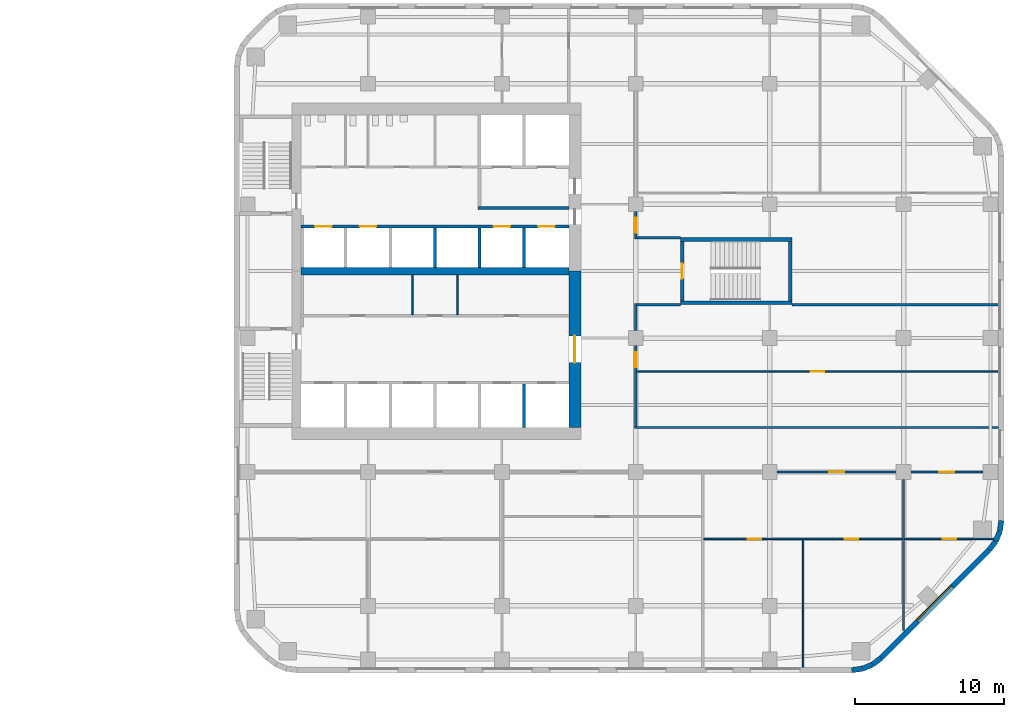
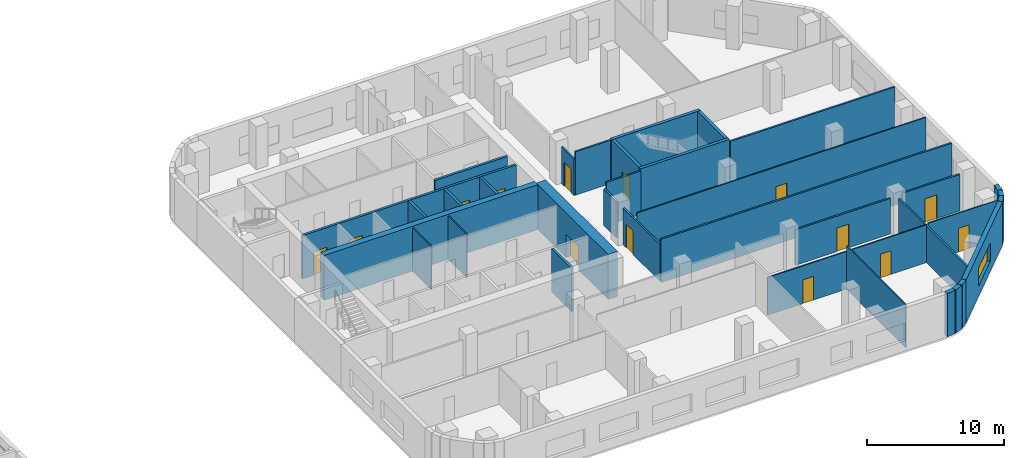
# One storey, part 9 of 14: 35 walls, 14 doors, 1 window, 15 openings.
"""IFC4 building model written with IfcOpenShell, lengths in metres."""

from ifc_helpers import new_model, si_unit, direction, frame, frame_2d, origin, place, context, subcontext, project, spatial, rectangle, extrude, material, layer, layer_set, type_object, element, fill, save


model = new_model("IFC4")

# Units and contexts
model_context = context("Model", 3, precision=1e-05, world=origin(), true_north=direction((0.0, 1.0)))
body_context = subcontext(model_context, "Body", "Model", "MODEL_VIEW")
ifc_project = project(units=[si_unit("LENGTHUNIT", "METRE"), si_unit("AREAUNIT", "SQUARE_METRE"), si_unit("VOLUMEUNIT", "CUBIC_METRE"), si_unit("PLANEANGLEUNIT", "RADIAN"), si_unit("MASSUNIT", "GRAM", prefix="KILO")], contexts=[model_context])

# Site, building, storey
site_placement = place(None, origin())
site = spatial("IfcSite", under=ifc_project, at=site_placement, CompositionType="ELEMENT")
building_placement = place(site_placement, origin())
building = spatial("IfcBuilding", under=site, at=building_placement, Name="Cinnabar Reach Civic Tower", CompositionType="ELEMENT")
storey_placement = place(building_placement, frame((0.0, 0.0, 104.0)))
storey = spatial("IfcBuildingStorey", under=building, at=storey_placement, Name="L24", CompositionType="ELEMENT", Elevation=104.0)

# Walls
ifc_material_1 = material(Name="Facing brick with insulated backing", Category="masonry")
ifc_layer_1 = layer(ifc_material_1, 0.36)
ifc_layer_set_1 = layer_set([ifc_layer_1], Name="Brick corner wall")
wall_type_1 = type_object("IfcWallType", Name="Brick corner wall", PredefinedType="STANDARD", material=ifc_layer_set_1)
for number, where, z_axis, x_axis, name in (
    (1, (41.5186, 4.683, 0.0), (0.0, 0.0, 1.0), (0.99144092581, 0.13055608231, 0.0), "Brick corner wall"),
    (2, (42.2473, 4.7819, 0.0), (0.0, 0.0, 1.0), (0.923871547278, 0.382702709855, 0.0), "Brick corner wall"),
):
    element("IfcWall", number, at=place(storey_placement, frame(where, z_axis=z_axis, x_axis=x_axis)), inside=storey, type_object=wall_type_1, Name=name, PredefinedType="STANDARD", context=body_context, shape_type="SweptSolid", body=[
        extrude(rectangle(XDim=0.7131, YDim=0.36, at=frame_2d((0.3565, 0.0))), origin(), (0.0, 0.0, 1.0), 3.85),
    ])
for number, where, z_axis, x_axis, name in (
    (3, (42.9255, 5.066, 0.0), (0.0, 0.0, 1.0), (0.793321924995, 0.608802368033, 0.0), "Brick corner wall"),
    (4, (50.7498, 12.7587, 0.0), (0.0, 0.0, 1.0), (0.608802368033, 0.793321924995, 0.0), "Brick corner wall"),
):
    element("IfcWall", number, at=place(storey_placement, frame(where, z_axis=z_axis, x_axis=x_axis)), inside=storey, type_object=wall_type_1, Name=name, PredefinedType="STANDARD", context=body_context, shape_type="SweptSolid", body=[
        extrude(rectangle(XDim=0.7132, YDim=0.36, at=frame_2d((0.3566, 0.0))), origin(), (0.0, 0.0, 1.0), 3.85),
    ])
for number, where, z_axis, x_axis, name in (
    (5, (51.1952, 13.3439, 0.0), (0.0, 0.0, 1.0), (0.382702709855, 0.923871547278, 0.0), "Brick corner wall"),
    (6, (51.4739, 14.0244, 0.0), (0.0, 0.0, 1.0), (0.13055608231, 0.99144092581, 0.0), "Brick corner wall"),
):
    element("IfcWall", number, at=place(storey_placement, frame(where, z_axis=z_axis, x_axis=x_axis)), inside=storey, type_object=wall_type_1, Name=name, PredefinedType="STANDARD", context=body_context, shape_type="SweptSolid", body=[
        extrude(rectangle(XDim=0.7131, YDim=0.36, at=frame_2d((0.3565, 0.0))), origin(), (0.0, 0.0, 1.0), 3.85),
    ])

# Wall, opening, window
ifc_layer_2 = layer(ifc_material_1, 0.36)
ifc_layer_set_2 = layer_set([ifc_layer_2], Name="Brick pier and spandrel wall")
wall_type_2 = type_object("IfcWallType", Name="Brick pier and spandrel wall", PredefinedType="STANDARD", material=ifc_layer_set_2)
wall_1_placement = place(storey_placement, frame((43.5014, 5.506, 0.0), z_axis=(0.0, 0.0, 1.0), x_axis=(0.707106781187, 0.707106781187, 0.0)))
wall_1 = element("IfcWall", 7, at=wall_1_placement, inside=storey, type_object=wall_type_2, Name="Brick facade wall", PredefinedType="STANDARD", context=body_context, shape_type="SweptSolid", body=[
    extrude(rectangle(XDim=10.2426, YDim=0.36, at=frame_2d((5.1213, 0.0))), origin(), (0.0, 0.0, 1.0), 3.85),
])
opening_1_placement = place(wall_1_placement, frame((3.4713, 0.0, 0.9)))
opening_1 = element("IfcOpeningElement", 8, at=opening_1_placement, cuts=wall_1, Name="Opening W1508", PredefinedType="OPENING", context=body_context, shape_type="SweptSolid", body=[
    extrude(rectangle(XDim=3.3, YDim=1.6, at=frame_2d((1.65, 0.8))), frame((0.0, 0.19, 0.0), z_axis=(0.0, -1.0, 0.0), x_axis=(1.0, 0.0, 0.0)), (0.0, 0.0, 1.0), 0.38),
])
ifc_material_2 = material(Name="Clear double glazing in aluminium frame", Category="aluminium")
window_type = type_object("IfcWindowType", Name="Deep-set window A", PartitioningType="SINGLE_PANEL", PredefinedType="WINDOW", material=ifc_material_2)
window_placement = place(opening_1_placement, origin())
window = element("IfcWindow", 9, at=window_placement, inside=storey, type_object=window_type, Name="Window southeast face", OverallHeight=1.6, OverallWidth=3.3, PartitioningType="SINGLE_PANEL", PredefinedType="WINDOW", context=body_context, shape_type="SweptSolid", body=[
    extrude(rectangle(XDim=3.3, YDim=1.6, at=frame_2d((1.65, 0.8))), frame((0.0, 0.13, 0.0), z_axis=(0.0, -1.0, 0.0), x_axis=(1.0, 0.0, 0.0)), (0.0, 0.0, 1.0), 0.06),
])
fill(opening_1, window)

# Wall
ifc_material_3 = material(Name="Concrete C60", Category="concrete")
ifc_layer_3 = layer(ifc_material_3, 0.5)
ifc_layer_set_3 = layer_set([ifc_layer_3], Name="Core wall 500 EI 180")
wall_type_3 = type_object("IfcWallType", Name="Core wall 500 EI 180", PredefinedType="SOLIDWALL", material=ifc_layer_set_3)
wall_2_placement = place(storey_placement, frame((4.5, 31.5, 0.0), z_axis=(0.0, 0.0, 1.0), x_axis=(1.0, 0.0, 0.0)))
element("IfcWall", 10, at=wall_2_placement, inside=storey, type_object=wall_type_3, Name="Core spine wall T1 L24", PredefinedType="SOLIDWALL", context=body_context, shape_type="SweptSolid", body=[
    extrude(rectangle(XDim=18.0, YDim=0.5, at=frame_2d((9.0, 0.0))), origin(), (0.0, 0.0, 1.0), 4.0),
])

# Wall, opening, door
ifc_material_4 = material(Name="Concrete C70", Category="concrete")
ifc_layer_4 = layer(ifc_material_4, 0.8)
ifc_layer_set_4 = layer_set([ifc_layer_4], Name="Core wall 800 EI 180")
wall_type_4 = type_object("IfcWallType", Name="Core wall 800 EI 180", PredefinedType="SOLIDWALL", material=ifc_layer_set_4)
wall_3_placement = place(storey_placement, frame((22.9, 21.0, 0.0), z_axis=(0.0, 0.0, 1.0), x_axis=(0.0, 1.0, 0.0)))
wall_3 = element("IfcWall", 11, at=wall_3_placement, inside=storey, type_object=wall_type_4, Name="Core wall T1 L24 E", PredefinedType="SOLIDWALL", context=body_context, shape_type="SweptSolid", body=[
    extrude(rectangle(XDim=10.5, YDim=0.8, at=frame_2d((5.25, 0.0))), origin(), (0.0, 0.0, 1.0), 4.0),
])
opening_2_placement = place(wall_3_placement, frame((4.35, 0.0, 0.0)))
opening_2 = element("IfcOpeningElement", 12, at=opening_2_placement, cuts=wall_3, Name="Opening D3977", PredefinedType="OPENING", context=body_context, shape_type="SweptSolid", body=[
    extrude(rectangle(XDim=1.8, YDim=2.1, at=frame_2d((0.9, 1.05))), frame((0.0, 0.41, 0.0), z_axis=(0.0, -1.0, 0.0), x_axis=(1.0, 0.0, 0.0)), (0.0, 0.0, 1.0), 0.82),
])
ifc_material_5 = material(Name="Timber door leaf in steel frame", Category="steel")
door_type_1 = type_object("IfcDoorType", Name="Double swing door 1800 x 2100 T1", OperationType="DOUBLE_DOOR_DOUBLE_SWING", PredefinedType="DOOR", material=ifc_material_5)
door_1_placement = place(opening_2_placement, origin())
door_1 = element("IfcDoor", 13, at=door_1_placement, inside=storey, type_object=door_type_1, Name="Door D3977", OperationType="DOUBLE_DOOR_DOUBLE_SWING", OverallHeight=2.1, OverallWidth=1.8, PredefinedType="DOOR", context=body_context, shape_type="SweptSolid", body=[
    extrude(rectangle(XDim=1.8, YDim=2.1, at=frame_2d((0.9, 1.05))), frame((0.0, 0.025, 0.0), z_axis=(0.0, -1.0, 0.0), x_axis=(1.0, 0.0, 0.0)), (0.0, 0.0, 1.0), 0.05),
])
fill(opening_2, door_1)

ifc_material_6 = material(Name="Gypsum board on steel studs, double layer", Category="steel")
ifc_layer_5 = layer(ifc_material_6, 0.15)
ifc_layer_set_5 = layer_set([ifc_layer_5], Name="Corridor wall 150 T1")
wall_type_5 = type_object("IfcWallType", Name="Corridor wall 150 T1", PredefinedType="PARTITIONING", material=ifc_layer_set_5)
wall_4_placement = place(storey_placement, frame((45.5, 18.0, 0.0), z_axis=(0.0, 0.0, 1.0), x_axis=(1.0, 0.0, 0.0)))
wall_4 = element("IfcWall", 14, at=wall_4_placement, inside=storey, type_object=wall_type_5, Name="Corridor wall 19", PredefinedType="PARTITIONING", context=body_context, shape_type="SweptSolid", body=[
    extrude(rectangle(XDim=4.85, YDim=0.15, at=frame_2d((2.425, 0.0))), origin(), (0.0, 0.0, 1.0), 3.254),
])
opening_3_placement = place(wall_4_placement, frame((1.9, 0.0, 0.0)))
opening_3 = element("IfcOpeningElement", 15, at=opening_3_placement, cuts=wall_4, Name="Opening D4001", PredefinedType="OPENING", context=body_context, shape_type="SweptSolid", body=[
    extrude(rectangle(XDim=1.0, YDim=2.1, at=frame_2d((0.5, 1.05))), frame((0.0, 0.085, 0.0), z_axis=(0.0, -1.0, 0.0), x_axis=(1.0, 0.0, 0.0)), (0.0, 0.0, 1.0), 0.17),
])
door_type_2 = type_object("IfcDoorType", Name="Tenancy entrance door 1000 x 2100 T1", OperationType="SINGLE_SWING_LEFT", PredefinedType="DOOR", material=ifc_material_5)
door_2_placement = place(opening_3_placement, frame((1.0, 0.0, 0.0), z_axis=(0.0, 0.0, 1.0), x_axis=(-1.0, 0.0, 0.0)))
door_2 = element("IfcDoor", 16, at=door_2_placement, inside=storey, type_object=door_type_2, Name="Door D4001", OperationType="SINGLE_SWING_LEFT", OverallHeight=2.1, OverallWidth=1.0, PredefinedType="DOOR", context=body_context, shape_type="SweptSolid", body=[
    extrude(rectangle(XDim=1.0, YDim=2.1, at=frame_2d((0.5, 1.05))), frame((0.0, 0.025, 0.0), z_axis=(0.0, -1.0, 0.0), x_axis=(1.0, 0.0, 0.0)), (0.0, 0.0, 1.0), 0.05),
])
fill(opening_3, door_2)

wall_5_placement = place(storey_placement, frame((36.5, 18.0, 0.0), z_axis=(0.0, 0.0, 1.0), x_axis=(1.0, 0.0, 0.0)))
wall_5 = element("IfcWall", 17, at=wall_5_placement, inside=storey, type_object=wall_type_5, Name="Corridor wall 20", PredefinedType="PARTITIONING", context=body_context, shape_type="SweptSolid", body=[
    extrude(rectangle(XDim=8.0, YDim=0.15, at=frame_2d((4.0, 0.0))), origin(), (0.0, 0.0, 1.0), 3.158),
])
opening_4_placement = place(wall_5_placement, frame((3.5, 0.0, 0.0)))
opening_4 = element("IfcOpeningElement", 18, at=opening_4_placement, cuts=wall_5, Name="Opening D3998", PredefinedType="OPENING", context=body_context, shape_type="SweptSolid", body=[
    extrude(rectangle(XDim=1.0, YDim=2.1, at=frame_2d((0.5, 1.05))), frame((0.0, 0.085, 0.0), z_axis=(0.0, -1.0, 0.0), x_axis=(1.0, 0.0, 0.0)), (0.0, 0.0, 1.0), 0.17),
])
door_3_placement = place(opening_4_placement, frame((1.0, 0.0, 0.0), z_axis=(0.0, 0.0, 1.0), x_axis=(-1.0, 0.0, 0.0)))
door_3 = element("IfcDoor", 19, at=door_3_placement, inside=storey, type_object=door_type_2, Name="Door D3998", OperationType="SINGLE_SWING_RIGHT", OverallHeight=2.1, OverallWidth=1.0, PredefinedType="DOOR", context=body_context, shape_type="SweptSolid", body=[
    extrude(rectangle(XDim=1.0, YDim=2.1, at=frame_2d((0.5, 1.05))), frame((0.0, 0.025, 0.0), z_axis=(0.0, -1.0, 0.0), x_axis=(1.0, 0.0, 0.0)), (0.0, 0.0, 1.0), 0.05),
])
fill(opening_4, door_3)

# Wall
wall_6_placement = place(storey_placement, frame((26.925, 21.0, 0.0), z_axis=(0.0, 0.0, 1.0), x_axis=(1.0, 0.0, 0.0)))
element("IfcWall", 20, at=wall_6_placement, inside=storey, type_object=wall_type_5, Name="Corridor wall 25", PredefinedType="PARTITIONING", context=body_context, shape_type="SweptSolid", body=[
    extrude(rectangle(XDim=24.465, YDim=0.15, at=frame_2d((12.2325, 0.0))), origin(), (0.0, 0.0, 1.0), 3.85),
])

# Wall, opening, door
wall_7_placement = place(storey_placement, frame((27.0, 33.675, 0.0), z_axis=(0.0, 0.0, 1.0), x_axis=(0.0, 1.0, 0.0)))
wall_7 = element("IfcWall", 21, at=wall_7_placement, inside=storey, type_object=wall_type_5, Name="Corridor wall 27", PredefinedType="PARTITIONING", context=body_context, shape_type="SweptSolid", body=[
    extrude(rectangle(XDim=1.825, YDim=0.15, at=frame_2d((0.9125, 0.0))), origin(), (0.0, 0.0, 1.0), 3.256),
])
opening_5_placement = place(wall_7_placement, frame((0.4, 0.0, 0.0)))
opening_5 = element("IfcOpeningElement", 22, at=opening_5_placement, cuts=wall_7, Name="Opening D3988", PredefinedType="OPENING", context=body_context, shape_type="SweptSolid", body=[
    extrude(rectangle(XDim=1.0, YDim=2.1, at=frame_2d((0.5, 1.05))), frame((0.0, 0.085, 0.0), z_axis=(0.0, -1.0, 0.0), x_axis=(1.0, 0.0, 0.0)), (0.0, 0.0, 1.0), 0.17),
])
door_4_placement = place(opening_5_placement, frame((1.0, 0.0, 0.0), z_axis=(0.0, 0.0, 1.0), x_axis=(-1.0, 0.0, 0.0)))
door_4 = element("IfcDoor", 23, at=door_4_placement, inside=storey, type_object=door_type_2, Name="Door D3988", OperationType="SINGLE_SWING_RIGHT", OverallHeight=2.1, OverallWidth=1.0, PredefinedType="DOOR", context=body_context, shape_type="SweptSolid", body=[
    extrude(rectangle(XDim=1.0, YDim=2.1, at=frame_2d((0.5, 1.05))), frame((0.0, 0.025, 0.0), z_axis=(0.0, -1.0, 0.0), x_axis=(1.0, 0.0, 0.0)), (0.0, 0.0, 1.0), 0.05),
])
fill(opening_5, door_4)

wall_8_placement = place(storey_placement, frame((27.0, 21.075, 0.0), z_axis=(0.0, 0.0, 1.0), x_axis=(0.0, 1.0, 0.0)))
wall_8 = element("IfcWall", 24, at=wall_8_placement, inside=storey, type_object=wall_type_5, Name="Corridor wall 31", PredefinedType="PARTITIONING", context=body_context, shape_type="SweptSolid", body=[
    extrude(rectangle(XDim=5.425, YDim=0.15, at=frame_2d((2.7125, 0.0))), origin(), (0.0, 0.0, 1.0), 3.256),
])
opening_6_placement = place(wall_8_placement, frame((3.975, 0.0, 0.0)))
opening_6 = element("IfcOpeningElement", 25, at=opening_6_placement, cuts=wall_8, Name="Opening D3991", PredefinedType="OPENING", context=body_context, shape_type="SweptSolid", body=[
    extrude(rectangle(XDim=1.0, YDim=2.1, at=frame_2d((0.5, 1.05))), frame((0.0, 0.085, 0.0), z_axis=(0.0, -1.0, 0.0), x_axis=(1.0, 0.0, 0.0)), (0.0, 0.0, 1.0), 0.17),
])
door_5_placement = place(opening_6_placement, frame((1.0, 0.0, 0.0), z_axis=(0.0, 0.0, 1.0), x_axis=(-1.0, 0.0, 0.0)))
door_5 = element("IfcDoor", 26, at=door_5_placement, inside=storey, type_object=door_type_2, Name="Door D3991", OperationType="SINGLE_SWING_RIGHT", OverallHeight=2.1, OverallWidth=1.0, PredefinedType="DOOR", context=body_context, shape_type="SweptSolid", body=[
    extrude(rectangle(XDim=1.0, YDim=2.1, at=frame_2d((0.5, 1.05))), frame((0.0, 0.025, 0.0), z_axis=(0.0, -1.0, 0.0), x_axis=(1.0, 0.0, 0.0)), (0.0, 0.0, 1.0), 0.05),
])
fill(opening_6, door_5)

# Walls
wall_9_placement = place(storey_placement, frame((27.0, 27.5, 0.0), z_axis=(0.0, 0.0, 1.0), x_axis=(0.0, 1.0, 0.0)))
element("IfcWall", 27, at=wall_9_placement, inside=storey, type_object=wall_type_5, Name="Corridor wall 32", PredefinedType="PARTITIONING", context=body_context, shape_type="SweptSolid", body=[
    extrude(rectangle(XDim=1.825, YDim=0.15, at=frame_2d((0.9125, 0.0))), origin(), (0.0, 0.0, 1.0), 3.256),
])
for number, where, z_axis, x_axis, name in (
    (28, (27.075, 29.25, 0.0), (0.0, 0.0, 1.0), (1.0, 0.0, 0.0), "Corridor wall 36"),
    (29, (27.075, 33.75, 0.0), (0.0, 0.0, 1.0), (1.0, 0.0, 0.0), "Corridor wall 37"),
):
    element("IfcWall", number, at=place(storey_placement, frame(where, z_axis=z_axis, x_axis=x_axis)), inside=storey, type_object=wall_type_5, Name=name, PredefinedType="PARTITIONING", context=body_context, shape_type="SweptSolid", body=[
        extrude(rectangle(XDim=2.925, YDim=0.15, at=frame_2d((1.4625, 0.0))), origin(), (0.0, 0.0, 1.0), 3.85),
    ])

# Wall, openings, doors
ifc_material_7 = material(Name="Blockwork", Category="masonry")
ifc_layer_6 = layer(ifc_material_7, 0.2)
ifc_layer_set_6 = layer_set([ifc_layer_6], Name="Lift shaft wall 200 T1")
wall_type_6 = type_object("IfcWallType", Name="Lift shaft wall 200 T1", PredefinedType="PARTITIONING", material=ifc_layer_set_6)
wall_10_placement = place(storey_placement, frame((4.5, 34.5, 0.0), z_axis=(0.0, 0.0, 1.0), x_axis=(1.0, 0.0, 0.0)))
wall_10 = element("IfcWall", 30, at=wall_10_placement, inside=storey, type_object=wall_type_6, Name="Lift shaft wall 5", PredefinedType="PARTITIONING", context=body_context, shape_type="SweptSolid", body=[
    extrude(rectangle(XDim=18.0, YDim=0.2, at=frame_2d((9.0, 0.0))), origin(), (0.0, 0.0, 1.0), 3.85),
])
opening_7_placement = place(wall_10_placement, frame((0.95, 0.0, 0.0)))
opening_7 = element("IfcOpeningElement", 31, at=opening_7_placement, cuts=wall_10, Name="Opening D3971", PredefinedType="OPENING", context=body_context, shape_type="SweptSolid", body=[
    extrude(rectangle(XDim=1.1, YDim=2.1, at=frame_2d((0.55, 1.05))), frame((0.0, 0.11, 0.0), z_axis=(0.0, -1.0, 0.0), x_axis=(1.0, 0.0, 0.0)), (0.0, 0.0, 1.0), 0.22),
])
opening_8_placement = place(wall_10_placement, frame((3.95, 0.0, 0.0)))
opening_8 = element("IfcOpeningElement", 32, at=opening_8_placement, cuts=wall_10, Name="Opening D3972", PredefinedType="OPENING", context=body_context, shape_type="SweptSolid", body=[
    extrude(rectangle(XDim=1.1, YDim=2.1, at=frame_2d((0.55, 1.05))), frame((0.0, 0.11, 0.0), z_axis=(0.0, -1.0, 0.0), x_axis=(1.0, 0.0, 0.0)), (0.0, 0.0, 1.0), 0.22),
])
opening_9_placement = place(wall_10_placement, frame((12.95, 0.0, 0.0)))
opening_9 = element("IfcOpeningElement", 33, at=opening_9_placement, cuts=wall_10, Name="Opening D3973", PredefinedType="OPENING", context=body_context, shape_type="SweptSolid", body=[
    extrude(rectangle(XDim=1.1, YDim=2.1, at=frame_2d((0.55, 1.05))), frame((0.0, 0.11, 0.0), z_axis=(0.0, -1.0, 0.0), x_axis=(1.0, 0.0, 0.0)), (0.0, 0.0, 1.0), 0.22),
])
opening_10_placement = place(wall_10_placement, frame((15.95, 0.0, 0.0)))
opening_10 = element("IfcOpeningElement", 34, at=opening_10_placement, cuts=wall_10, Name="Opening D3974", PredefinedType="OPENING", context=body_context, shape_type="SweptSolid", body=[
    extrude(rectangle(XDim=1.1, YDim=2.1, at=frame_2d((0.55, 1.05))), frame((0.0, 0.11, 0.0), z_axis=(0.0, -1.0, 0.0), x_axis=(1.0, 0.0, 0.0)), (0.0, 0.0, 1.0), 0.22),
])
ifc_material_8 = material(Name="Stainless steel sliding door", Category="steel")
door_type_3 = type_object("IfcDoorType", Name="Lift landing door 1100 x 2100 T1", OperationType="SLIDING_TO_LEFT", PredefinedType="DOOR", material=ifc_material_8)
door_6_placement = place(opening_7_placement, origin())
door_6 = element("IfcDoor", 35, at=door_6_placement, inside=storey, type_object=door_type_3, Name="Lift landing door SH1 L24", OperationType="SLIDING_TO_LEFT", OverallHeight=2.1, OverallWidth=1.1, PredefinedType="DOOR", context=body_context, shape_type="SweptSolid", body=[
    extrude(rectangle(XDim=1.1, YDim=2.1, at=frame_2d((0.55, 1.05))), frame((0.0, 0.025, 0.0), z_axis=(0.0, -1.0, 0.0), x_axis=(1.0, 0.0, 0.0)), (0.0, 0.0, 1.0), 0.05),
])
fill(opening_7, door_6)
door_7_placement = place(opening_8_placement, origin())
door_7 = element("IfcDoor", 36, at=door_7_placement, inside=storey, type_object=door_type_3, Name="Lift landing door SH2 L24", OperationType="SLIDING_TO_LEFT", OverallHeight=2.1, OverallWidth=1.1, PredefinedType="DOOR", context=body_context, shape_type="SweptSolid", body=[
    extrude(rectangle(XDim=1.1, YDim=2.1, at=frame_2d((0.55, 1.05))), frame((0.0, 0.025, 0.0), z_axis=(0.0, -1.0, 0.0), x_axis=(1.0, 0.0, 0.0)), (0.0, 0.0, 1.0), 0.05),
])
fill(opening_8, door_7)
door_8_placement = place(opening_9_placement, origin())
door_8 = element("IfcDoor", 37, at=door_8_placement, inside=storey, type_object=door_type_3, Name="Lift landing door SV1 L24", OperationType="SLIDING_TO_LEFT", OverallHeight=2.1, OverallWidth=1.1, PredefinedType="DOOR", context=body_context, shape_type="SweptSolid", body=[
    extrude(rectangle(XDim=1.1, YDim=2.1, at=frame_2d((0.55, 1.05))), frame((0.0, 0.025, 0.0), z_axis=(0.0, -1.0, 0.0), x_axis=(1.0, 0.0, 0.0)), (0.0, 0.0, 1.0), 0.05),
])
fill(opening_9, door_8)
door_9_placement = place(opening_10_placement, origin())
door_9 = element("IfcDoor", 38, at=door_9_placement, inside=storey, type_object=door_type_3, Name="Lift landing door SV2 L24", OperationType="SLIDING_TO_LEFT", OverallHeight=2.1, OverallWidth=1.1, PredefinedType="DOOR", context=body_context, shape_type="SweptSolid", body=[
    extrude(rectangle(XDim=1.1, YDim=2.1, at=frame_2d((0.55, 1.05))), frame((0.0, 0.025, 0.0), z_axis=(0.0, -1.0, 0.0), x_axis=(1.0, 0.0, 0.0)), (0.0, 0.0, 1.0), 0.05),
])
fill(opening_10, door_9)

# Walls
for number, where, z_axis, x_axis, name in (
    (39, (13.5, 31.75, 0.0), (0.0, 0.0, 1.0), (0.0, 1.0, 0.0), "Lift shaft wall 14"),
    (40, (16.5, 31.75, 0.0), (0.0, 0.0, 1.0), (0.0, 1.0, 0.0), "Lift shaft wall 16"),
):
    element("IfcWall", number, at=place(storey_placement, frame(where, z_axis=z_axis, x_axis=x_axis)), inside=storey, type_object=wall_type_6, Name=name, PredefinedType="PARTITIONING", context=body_context, shape_type="SweptSolid", body=[
        extrude(rectangle(XDim=2.65, YDim=0.2, at=frame_2d((1.325, 0.0))), origin(), (0.0, 0.0, 1.0), 3.85),
    ])
wall_11_placement = place(storey_placement, frame((19.5, 21.0, 0.0), z_axis=(0.0, 0.0, 1.0), x_axis=(0.0, 1.0, 0.0)))
element("IfcWall", 41, at=wall_11_placement, inside=storey, type_object=wall_type_6, Name="Lift shaft wall 17", PredefinedType="PARTITIONING", context=body_context, shape_type="SweptSolid", body=[
    extrude(rectangle(XDim=2.9, YDim=0.2, at=frame_2d((1.45, 0.0))), origin(), (0.0, 0.0, 1.0), 3.85),
])
wall_12_placement = place(storey_placement, frame((19.5, 31.75, 0.0), z_axis=(0.0, 0.0, 1.0), x_axis=(0.0, 1.0, 0.0)))
element("IfcWall", 42, at=wall_12_placement, inside=storey, type_object=wall_type_6, Name="Lift shaft wall 18", PredefinedType="PARTITIONING", context=body_context, shape_type="SweptSolid", body=[
    extrude(rectangle(XDim=2.65, YDim=0.2, at=frame_2d((1.325, 0.0))), origin(), (0.0, 0.0, 1.0), 3.85),
])

# Wall, opening, door
ifc_material_9 = material(Name="Gypsum board on steel studs", Category="steel")
ifc_layer_7 = layer(ifc_material_9, 0.1)
ifc_layer_set_7 = layer_set([ifc_layer_7], Name="Partition wall 100 T1")
wall_type_7 = type_object("IfcWallType", Name="Partition wall 100 T1", PredefinedType="PARTITIONING", material=ifc_layer_set_7)
wall_13_placement = place(storey_placement, frame((27.075, 24.75, 0.0), z_axis=(0.0, 0.0, 1.0), x_axis=(1.0, 0.0, 0.0)))
wall_13 = element("IfcWall", 43, at=wall_13_placement, inside=storey, type_object=wall_type_7, Name="Partition wall 45", PredefinedType="PARTITIONING", context=body_context, shape_type="SweptSolid", body=[
    extrude(rectangle(XDim=24.315, YDim=0.1, at=frame_2d((12.1575, 0.0))), origin(), (0.0, 0.0, 1.0), 3.85),
])
opening_11_placement = place(wall_13_placement, frame((11.7, 0.0, 0.0)))
opening_11 = element("IfcOpeningElement", 44, at=opening_11_placement, cuts=wall_13, Name="Opening D3992", PredefinedType="OPENING", context=body_context, shape_type="SweptSolid", body=[
    extrude(rectangle(XDim=0.9, YDim=2.1, at=frame_2d((0.45, 1.05))), frame((0.0, 0.06, 0.0), z_axis=(0.0, -1.0, 0.0), x_axis=(1.0, 0.0, 0.0)), (0.0, 0.0, 1.0), 0.12),
])
door_type_4 = type_object("IfcDoorType", Name="Single swing door 900 x 2100 T1", OperationType="SINGLE_SWING_LEFT", PredefinedType="DOOR", material=ifc_material_5)
door_10_placement = place(opening_11_placement, frame((0.9, 0.0, 0.0), z_axis=(0.0, 0.0, 1.0), x_axis=(-1.0, 0.0, 0.0)))
door_10 = element("IfcDoor", 45, at=door_10_placement, inside=storey, type_object=door_type_4, Name="Door D3992", OperationType="SINGLE_SWING_RIGHT", OverallHeight=2.1, OverallWidth=0.9, PredefinedType="DOOR", context=body_context, shape_type="SweptSolid", body=[
    extrude(rectangle(XDim=0.9, YDim=2.1, at=frame_2d((0.45, 1.05))), frame((0.0, 0.025, 0.0), z_axis=(0.0, -1.0, 0.0), x_axis=(1.0, 0.0, 0.0)), (0.0, 0.0, 1.0), 0.05),
])
fill(opening_11, door_10)

# Wall, openings, doors
wall_14_placement = place(storey_placement, frame((31.575, 13.5, 0.0), z_axis=(0.0, 0.0, 1.0), x_axis=(1.0, 0.0, 0.0)))
wall_14 = element("IfcWall", 46, at=wall_14_placement, inside=storey, type_object=wall_type_7, Name="Partition wall 47", PredefinedType="PARTITIONING", context=body_context, shape_type="SweptSolid", body=[
    extrude(rectangle(XDim=13.35, YDim=0.1, at=frame_2d((6.675, 0.0))), origin(), (0.0, 0.0, 1.0), 3.354),
])
opening_12_placement = place(wall_14_placement, frame((2.95, 0.0, 0.0)))
opening_12 = element("IfcOpeningElement", 47, at=opening_12_placement, cuts=wall_14, Name="Opening D3999", PredefinedType="OPENING", context=body_context, shape_type="SweptSolid", body=[
    extrude(rectangle(XDim=0.9, YDim=2.1, at=frame_2d((0.45, 1.05))), frame((0.0, 0.06, 0.0), z_axis=(0.0, -1.0, 0.0), x_axis=(1.0, 0.0, 0.0)), (0.0, 0.0, 1.0), 0.12),
])
opening_13_placement = place(wall_14_placement, frame((9.475, 0.0, 0.0)))
opening_13 = element("IfcOpeningElement", 48, at=opening_13_placement, cuts=wall_14, Name="Opening D4000", PredefinedType="OPENING", context=body_context, shape_type="SweptSolid", body=[
    extrude(rectangle(XDim=0.9, YDim=2.1, at=frame_2d((0.45, 1.05))), frame((0.0, 0.06, 0.0), z_axis=(0.0, -1.0, 0.0), x_axis=(1.0, 0.0, 0.0)), (0.0, 0.0, 1.0), 0.12),
])
door_11_placement = place(opening_12_placement, frame((0.9, 0.0, 0.0), z_axis=(0.0, 0.0, 1.0), x_axis=(-1.0, 0.0, 0.0)))
door_11 = element("IfcDoor", 49, at=door_11_placement, inside=storey, type_object=door_type_4, Name="Door D3999", OperationType="SINGLE_SWING_RIGHT", OverallHeight=2.1, OverallWidth=0.9, PredefinedType="DOOR", context=body_context, shape_type="SweptSolid", body=[
    extrude(rectangle(XDim=0.9, YDim=2.1, at=frame_2d((0.45, 1.05))), frame((0.0, 0.025, 0.0), z_axis=(0.0, -1.0, 0.0), x_axis=(1.0, 0.0, 0.0)), (0.0, 0.0, 1.0), 0.05),
])
fill(opening_12, door_11)
door_12_placement = place(opening_13_placement, frame((0.9, 0.0, 0.0), z_axis=(0.0, 0.0, 1.0), x_axis=(-1.0, 0.0, 0.0)))
door_12 = element("IfcDoor", 50, at=door_12_placement, inside=storey, type_object=door_type_4, Name="Door D4000", OperationType="SINGLE_SWING_LEFT", OverallHeight=2.1, OverallWidth=0.9, PredefinedType="DOOR", context=body_context, shape_type="SweptSolid", body=[
    extrude(rectangle(XDim=0.9, YDim=2.1, at=frame_2d((0.45, 1.05))), frame((0.0, 0.025, 0.0), z_axis=(0.0, -1.0, 0.0), x_axis=(1.0, 0.0, 0.0)), (0.0, 0.0, 1.0), 0.05),
])
fill(opening_13, door_12)

# Wall, opening, door
wall_15_placement = place(storey_placement, frame((45.075, 13.5, 0.0), z_axis=(0.0, 0.0, 1.0), x_axis=(1.0, 0.0, 0.0)))
wall_15 = element("IfcWall", 51, at=wall_15_placement, inside=storey, type_object=wall_type_7, Name="Partition wall 48", PredefinedType="PARTITIONING", context=body_context, shape_type="SweptSolid", body=[
    extrude(rectangle(XDim=5.9693, YDim=0.1, at=frame_2d((2.9846, 0.0))), origin(), (0.0, 0.0, 1.0), 3.454),
])
opening_14_placement = place(wall_15_placement, frame((2.55, 0.0, 0.0)))
opening_14 = element("IfcOpeningElement", 52, at=opening_14_placement, cuts=wall_15, Name="Opening D4002", PredefinedType="OPENING", context=body_context, shape_type="SweptSolid", body=[
    extrude(rectangle(XDim=0.9, YDim=2.1, at=frame_2d((0.45, 1.05))), frame((0.0, 0.06, 0.0), z_axis=(0.0, -1.0, 0.0), x_axis=(1.0, 0.0, 0.0)), (0.0, 0.0, 1.0), 0.12),
])
door_13_placement = place(opening_14_placement, frame((0.9, 0.0, 0.0), z_axis=(0.0, 0.0, 1.0), x_axis=(-1.0, 0.0, 0.0)))
door_13 = element("IfcDoor", 53, at=door_13_placement, inside=storey, type_object=door_type_4, Name="Door D4002", OperationType="SINGLE_SWING_LEFT", OverallHeight=2.1, OverallWidth=0.9, PredefinedType="DOOR", context=body_context, shape_type="SweptSolid", body=[
    extrude(rectangle(XDim=0.9, YDim=2.1, at=frame_2d((0.45, 1.05))), frame((0.0, 0.025, 0.0), z_axis=(0.0, -1.0, 0.0), x_axis=(1.0, 0.0, 0.0)), (0.0, 0.0, 1.0), 0.05),
])
fill(opening_14, door_13)

# Walls
wall_16_placement = place(storey_placement, frame((38.25, 4.86, 0.0), z_axis=(0.0, 0.0, 1.0), x_axis=(0.0, 1.0, 0.0)))
element("IfcWall", 54, at=wall_16_placement, inside=storey, type_object=wall_type_7, Name="Partition wall 54", PredefinedType="PARTITIONING", context=body_context, shape_type="SweptSolid", body=[
    extrude(rectangle(XDim=8.59, YDim=0.1, at=frame_2d((4.295, 0.0))), origin(), (0.0, 0.0, 1.0), 3.85),
])
for number, where, z_axis, x_axis, name in (
    (55, (12.0, 28.575, 0.0), (0.0, 0.0, 1.0), (0.0, 1.0, 0.0), "Partition wall 59"),
    (56, (15.0, 28.575, 0.0), (0.0, 0.0, 1.0), (0.0, 1.0, 0.0), "Partition wall 60"),
):
    element("IfcWall", number, at=place(storey_placement, frame(where, z_axis=z_axis, x_axis=x_axis)), inside=storey, type_object=wall_type_7, Name=name, PredefinedType="PARTITIONING", context=body_context, shape_type="SweptSolid", body=[
        extrude(rectangle(XDim=2.675, YDim=0.1, at=frame_2d((1.3375, 0.0))), origin(), (0.0, 0.0, 1.0), 3.85),
    ])
ifc_material_10 = material(Name="Concrete C40", Category="concrete")
ifc_layer_8 = layer(ifc_material_10, 0.2)
ifc_layer_set_8 = layer_set([ifc_layer_8], Name="Refuge compartment wall 200 T1")
wall_type_8 = type_object("IfcWallType", Name="Refuge compartment wall 200 T1", PredefinedType="PARTITIONING", material=ifc_layer_set_8)
wall_17_placement = place(storey_placement, frame((16.4, 35.75, 0.0), z_axis=(0.0, 0.0, 1.0), x_axis=(1.0, 0.0, 0.0)))
element("IfcWall", 57, at=wall_17_placement, inside=storey, type_object=wall_type_8, Name="Refuge compartment wall 1", PredefinedType="PARTITIONING", context=body_context, shape_type="SweptSolid", body=[
    extrude(rectangle(XDim=6.1, YDim=0.2, at=frame_2d((3.05, 0.0))), origin(), (0.0, 0.0, 1.0), 3.85),
])
ifc_layer_9 = layer(ifc_material_3, 0.25)
ifc_layer_set_9 = layer_set([ifc_layer_9], Name="Stair shaft wall 250 EI 120")
wall_type_9 = type_object("IfcWallType", Name="Stair shaft wall 250 EI 120", PredefinedType="SOLIDWALL", material=ifc_layer_set_9)
for number, where, z_axis, x_axis, name in (
    (58, (30.0, 29.375, 0.0), (0.0, 0.0, 1.0), (1.0, 0.0, 0.0), "Stair shaft wall T1-S3 L24"),
    (59, (37.5, 33.625, 0.0), (0.0, 0.0, 1.0), (-1.0, 0.0, 0.0), "Stair shaft wall T1-S3 L24"),
):
    element("IfcWall", number, at=place(storey_placement, frame(where, z_axis=z_axis, x_axis=x_axis)), inside=storey, type_object=wall_type_9, Name=name, PredefinedType="SOLIDWALL", context=body_context, shape_type="SweptSolid", body=[
        extrude(rectangle(XDim=7.5, YDim=0.25, at=frame_2d((3.75, 0.0))), origin(), (0.0, 0.0, 1.0), 4.0),
    ])
wall_18_placement = place(storey_placement, frame((37.375, 29.5, 0.0), z_axis=(0.0, 0.0, 1.0), x_axis=(0.0, 1.0, 0.0)))
element("IfcWall", 60, at=wall_18_placement, inside=storey, type_object=wall_type_9, Name="Stair shaft wall T1-S3 L24", PredefinedType="SOLIDWALL", context=body_context, shape_type="SweptSolid", body=[
    extrude(rectangle(XDim=4.0, YDim=0.25, at=frame_2d((2.0, 0.0))), origin(), (0.0, 0.0, 1.0), 4.0),
])

# Wall, opening, door
wall_19_placement = place(storey_placement, frame((30.125, 33.5, 0.0), z_axis=(0.0, 0.0, 1.0), x_axis=(0.0, -1.0, 0.0)))
wall_19 = element("IfcWall", 61, at=wall_19_placement, inside=storey, type_object=wall_type_9, Name="Stair shaft wall T1-S3 L24", PredefinedType="SOLIDWALL", context=body_context, shape_type="SweptSolid", body=[
    extrude(rectangle(XDim=4.0, YDim=0.25, at=frame_2d((2.0, 0.0))), origin(), (0.0, 0.0, 1.0), 4.0),
])
opening_15_placement = place(wall_19_placement, frame((1.5, 0.0, 0.0)))
opening_15 = element("IfcOpeningElement", 62, at=opening_15_placement, cuts=wall_19, Name="Opening D3980", PredefinedType="OPENING", context=body_context, shape_type="SweptSolid", body=[
    extrude(rectangle(XDim=1.0, YDim=2.1, at=frame_2d((0.5, 1.05))), frame((0.0, 0.135, 0.0), z_axis=(0.0, -1.0, 0.0), x_axis=(1.0, 0.0, 0.0)), (0.0, 0.0, 1.0), 0.27),
])
door_type_5 = type_object("IfcDoorType", Name="Stair door 1000 x 2100 T1", OperationType="SINGLE_SWING_LEFT", PredefinedType="DOOR", material=ifc_material_5)
door_14_placement = place(opening_15_placement, origin())
door_14 = element("IfcDoor", 63, at=door_14_placement, inside=storey, type_object=door_type_5, Name="Door D3980", OperationType="SINGLE_SWING_LEFT", OverallHeight=2.1, OverallWidth=1.0, PredefinedType="DOOR", context=body_context, shape_type="SweptSolid", body=[
    extrude(rectangle(XDim=1.0, YDim=2.1, at=frame_2d((0.5, 1.05))), frame((0.0, 0.025, 0.0), z_axis=(0.0, -1.0, 0.0), x_axis=(1.0, 0.0, 0.0)), (0.0, 0.0, 1.0), 0.05),
])
fill(opening_15, door_14)

# Walls
ifc_layer_10 = layer(ifc_material_6, 0.15)
ifc_layer_set_10 = layer_set([ifc_layer_10], Name="Tenancy separating wall 150 T1")
wall_type_10 = type_object("IfcWallType", Name="Tenancy separating wall 150 T1", PredefinedType="PARTITIONING", material=ifc_layer_set_10)
wall_20_placement = place(storey_placement, frame((37.5, 29.25, 0.0), z_axis=(0.0, 0.0, 1.0), x_axis=(1.0, 0.0, 0.0)))
element("IfcWall", 64, at=wall_20_placement, inside=storey, type_object=wall_type_10, Name="Tenancy separating wall 40", PredefinedType="PARTITIONING", context=body_context, shape_type="SweptSolid", body=[
    extrude(rectangle(XDim=13.89, YDim=0.15, at=frame_2d((6.945, 0.0))), origin(), (0.0, 0.0, 1.0), 3.85),
])
wall_21_placement = place(storey_placement, frame((45.0, 7.334, 0.0), z_axis=(0.0, 0.0, 1.0), x_axis=(0.0, 1.0, 0.0)))
element("IfcWall", 65, at=wall_21_placement, inside=storey, type_object=wall_type_10, Name="Tenancy separating wall 44", PredefinedType="PARTITIONING", context=body_context, shape_type="SweptSolid", body=[
    extrude(rectangle(XDim=10.166, YDim=0.15, at=frame_2d((5.083, 0.0))), origin(), (0.0, 0.0, 1.0), 3.256),
])

save(model, "model.ifc")
